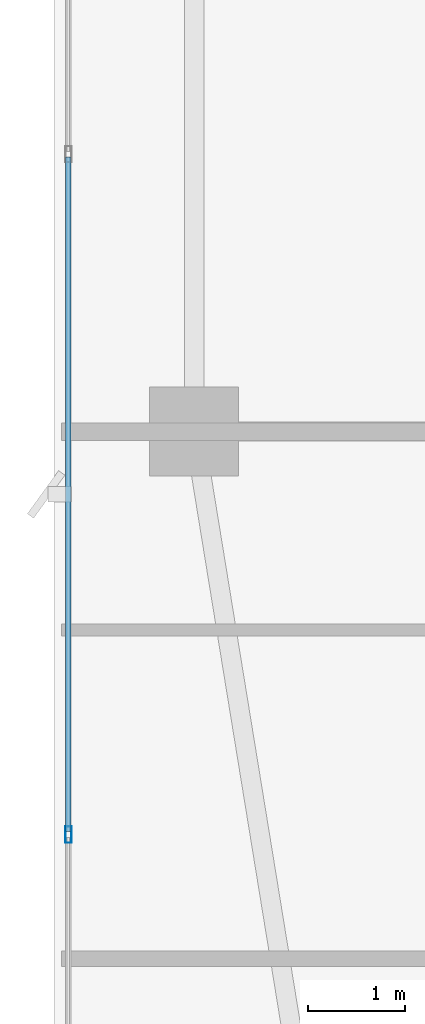
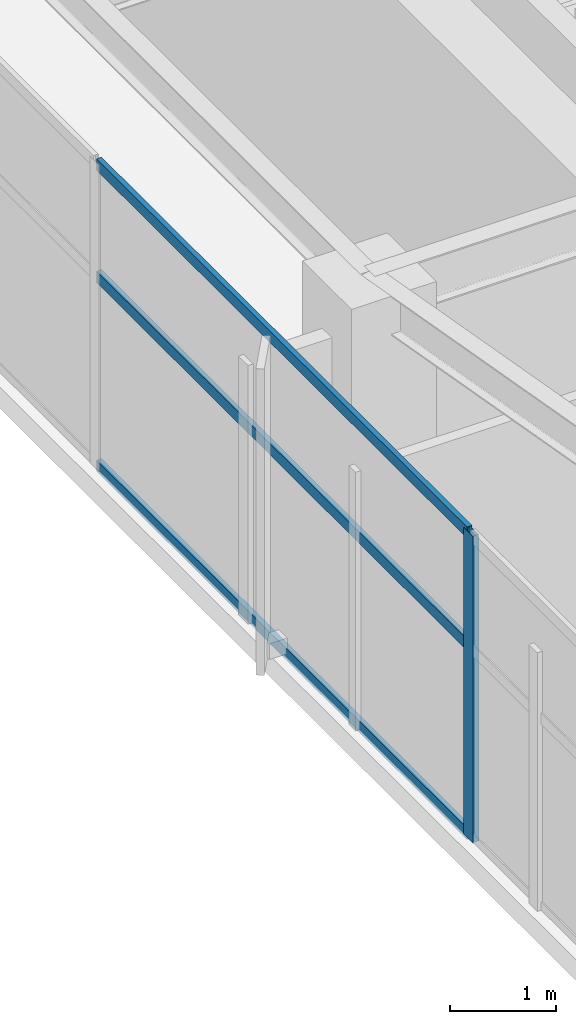
# One storey, part 4 of 27: 4 members, 1 element without a shape of its own.
"""IFC4 building model written with IfcOpenShell, lengths in metres."""

from ifc_helpers import new_model, si_unit, direction, frame, origin, origin_2d, place, context, subcontext, project, spatial, hollow_rectangle, extrude, material, layer, layer_set, material_profile, profile_set, type_object, element, aggregate, save


model = new_model("IFC4")

# Units and contexts
model_context = context("Model", 3, precision=1e-05, world=origin(), true_north=direction((0.0, 1.0)))
body_context = subcontext(model_context, "Body", "Model", "MODEL_VIEW")
ifc_project = project(units=[si_unit("LENGTHUNIT", "METRE"), si_unit("AREAUNIT", "SQUARE_METRE"), si_unit("VOLUMEUNIT", "CUBIC_METRE"), si_unit("PLANEANGLEUNIT", "RADIAN"), si_unit("MASSUNIT", "GRAM", prefix="KILO")], contexts=[model_context])

# Site, building, storey
site_placement = place(None, origin())
site = spatial("IfcSite", under=ifc_project, at=site_placement, CompositionType="ELEMENT")
building_placement = place(site_placement, origin())
building = spatial("IfcBuilding", under=site, at=building_placement, Name="Calvorn Quay Hotel", CompositionType="ELEMENT")
storey_placement = place(building_placement, frame((0.0, 0.0, 278.699951171875)))
storey = spatial("IfcBuildingStorey", under=building, at=storey_placement, Name="L69", CompositionType="ELEMENT", Elevation=278.699951171875)

# Curtain wall, members
ifc_material_1 = material(Name="Champagne Bronze Anodised Aluminium and Low-E Glass", Category="aluminium")
ifc_layer = layer(ifc_material_1, 0.219970703125)
ifc_layer_set = layer_set([ifc_layer], Name="CW-SYS-Z4")
curtain_wall_type = type_object("IfcCurtainWallType", Name="CW-SYS-Z4", PredefinedType="NOTDEFINED", material=ifc_layer_set)
curtain_wall_placement = place(storey_placement, origin())
curtain_wall = element("IfcCurtainWall", 1, at=curtain_wall_placement, inside=storey, type_object=curtain_wall_type, Name="Tower West Curtain Wall (L69)", PredefinedType="NOTDEFINED")
ifc_material_2 = material(Name="Champagne Bronze Anodised Aluminium 6063-T6", Category="aluminium")
ifc_material_profile_1 = material_profile(ifc_material_2, hollow_rectangle(XDim=0.06494140625, YDim=0.169921875, WallThickness=0.00341796875, at=origin_2d()), Name="ALU-M170x65x3.5")
ifc_profile_set_1 = profile_set([ifc_material_profile_1], Name="Champagne Bronze Anodised Aluminium 6063-T6")
member_type_1 = type_object("IfcMemberType", Name="CW-SYS-Z4-MUL", PredefinedType="MULLION", material=ifc_profile_set_1)
member_1_placement = place(storey_placement, frame((0.14990234375, 12.63330078125, 0.0), z_axis=(0.0, 0.0, 1.0), x_axis=(-1.0, 0.0, 0.0)))
member_1 = element("IfcMember", 2, at=member_1_placement, type_object=member_type_1, Name="CW-L69-W mullion 2", PredefinedType="MULLION", context=body_context, shape_type="SweptSolid", body=[
    extrude(hollow_rectangle(XDim=0.06494140625, YDim=0.169921875, WallThickness=0.00341796875, at=origin_2d()), origin(), (0.0, 0.0, 1.0), 3.52001953125),
])
ifc_material_3 = material(Name="Champagne Bronze Anodised Aluminium 6063-T6", Category="aluminium")
ifc_material_profile_2 = material_profile(ifc_material_3, hollow_rectangle(XDim=0.054931640625, YDim=0.1298828125, WallThickness=0.003173828125, at=origin_2d()), Name="ALU-T130x55x3.2")
ifc_profile_set_2 = profile_set([ifc_material_profile_2], Name="Champagne Bronze Anodised Aluminium 6063-T6")
member_type_2 = type_object("IfcMemberType", Name="CW-SYS-Z4-TRN", PredefinedType="USERDEFINED", material=ifc_profile_set_2)
member_2_placement = place(storey_placement, frame((0.14990234375, 12.663330078125, 0.030029296875), z_axis=(0.0, 1.0, 0.0), x_axis=(-1.0, 0.0, 0.0)))
member_2 = element("IfcMember", 3, at=member_2_placement, type_object=member_type_2, Name="CW-L69-W transom 2.1", ObjectType="TRANSOM", PredefinedType="USERDEFINED", context=body_context, shape_type="SweptSolid", body=[
    extrude(hollow_rectangle(XDim=0.054931640625, YDim=0.1298828125, WallThickness=0.003173828125, at=origin_2d()), origin(), (0.0, 0.0, 1.0), 6.973388671875),
])
member_3_placement = place(storey_placement, frame((0.14990234375, 12.663330078125, 2.199951171875), z_axis=(0.0, 1.0, 0.0), x_axis=(-1.0, 0.0, 0.0)))
member_3 = element("IfcMember", 4, at=member_3_placement, type_object=member_type_2, Name="CW-L69-W transom 2.2", ObjectType="TRANSOM", PredefinedType="USERDEFINED", context=body_context, shape_type="SweptSolid", body=[
    extrude(hollow_rectangle(XDim=0.054931640625, YDim=0.1298828125, WallThickness=0.003173828125, at=origin_2d()), origin(), (0.0, 0.0, 1.0), 6.973388671875),
])
member_4_placement = place(storey_placement, frame((0.14990234375, 12.663330078125, 3.489990234375), z_axis=(0.0, 1.0, 0.0), x_axis=(-1.0, 0.0, 0.0)))
member_4 = element("IfcMember", 5, at=member_4_placement, type_object=member_type_2, Name="CW-L69-W transom 2.3", ObjectType="TRANSOM", PredefinedType="USERDEFINED", context=body_context, shape_type="SweptSolid", body=[
    extrude(hollow_rectangle(XDim=0.054931640625, YDim=0.1298828125, WallThickness=0.003173828125, at=origin_2d()), origin(), (0.0, 0.0, 1.0), 6.973388671875),
])
aggregate(curtain_wall, [member_1, member_2, member_3, member_4])

save(model, "model.ifc")
